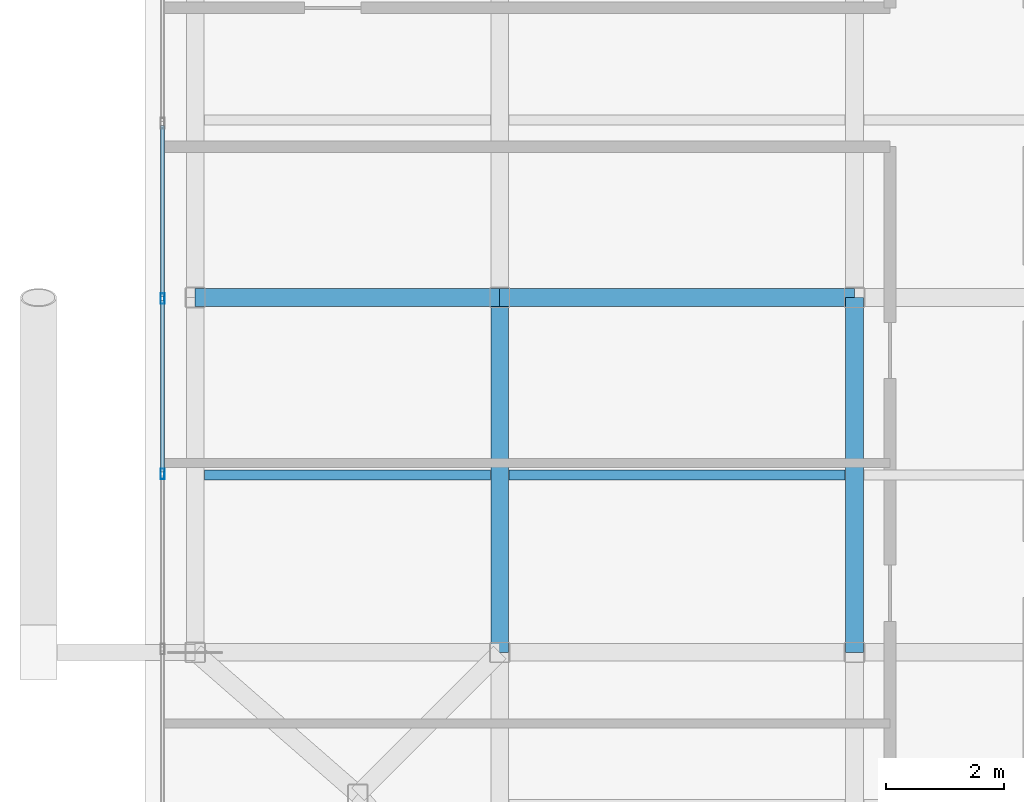
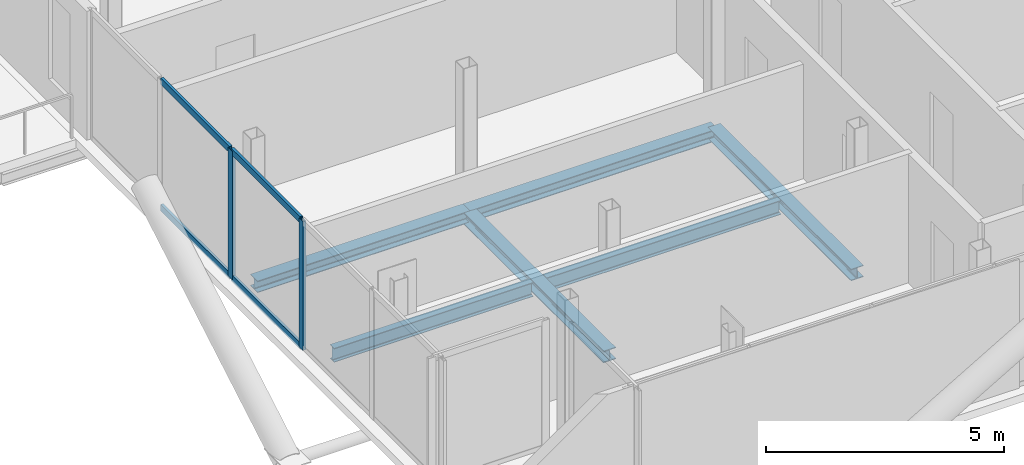
# One storey, part 4 of 19: 6 beams, 6 members, 1 element without a shape of its own.
"""IFC4 building model written with IfcOpenShell, lengths in metres."""

from ifc_helpers import new_model, si_unit, direction, frame, origin, origin_2d, place, context, subcontext, project, spatial, hollow_rectangle, i_section, extrude, material, layer, layer_set, material_profile, profile_set, type_object, element, aggregate, save


model = new_model("IFC4")

# Units and contexts
model_context = context("Model", 3, precision=1e-05, world=origin(), true_north=direction((0.0, 1.0)))
body_context = subcontext(model_context, "Body", "Model", "MODEL_VIEW")
ifc_project = project(units=[si_unit("LENGTHUNIT", "METRE"), si_unit("AREAUNIT", "SQUARE_METRE"), si_unit("VOLUMEUNIT", "CUBIC_METRE"), si_unit("PLANEANGLEUNIT", "RADIAN"), si_unit("MASSUNIT", "GRAM", prefix="KILO"), si_unit("THERMODYNAMICTEMPERATUREUNIT", "KELVIN"), si_unit("POWERUNIT", "WATT")], contexts=[model_context])

# Site, building, storey
site_placement = place(None, origin())
site = spatial("IfcSite", under=ifc_project, at=site_placement, CompositionType="ELEMENT")
building_placement = place(site_placement, origin())
building = spatial("IfcBuilding", under=site, at=building_placement, Name="Svarakhadi Broadcast Tower", CompositionType="ELEMENT")
storey_placement = place(building_placement, frame((0.0, 0.0, 271.199951171875)))
storey = spatial("IfcBuildingStorey", under=building, at=storey_placement, Name="L68", CompositionType="ELEMENT", Elevation=271.199951171875)

# Beams
ifc_material_1 = material(Name="Steel S355J2 (IS 2062 E350C)", Category="steel")
ifc_material_profile_1 = material_profile(ifc_material_1, i_section(OverallWidth=0.169921875, OverallDepth=0.360107421875, WebThickness=0.008056640625, FlangeThickness=0.0126953125, FilletRadius=0.01806640625, at=origin_2d()), Name="NPB 360x170x57")
ifc_profile_set_1 = profile_set([ifc_material_profile_1], Name="Steel S355J2 (IS 2062 E350C)")
beam_type_1 = type_object("IfcBeamType", Name="Beam_NPB360", PredefinedType="BEAM", material=ifc_profile_set_1)
beam_1_placement = place(storey_placement, frame((1.010009765625, 9.0, -0.3798828125), z_axis=(1.0, 0.0, 0.0), x_axis=(0.0, 1.0, 0.0)))
element("IfcBeam", 1, at=beam_1_placement, inside=storey, type_object=beam_type_1, Name="L68 Secondary Composite Beam SB001", PredefinedType="BEAM", context=body_context, shape_type="SweptSolid", body=[
    extrude(i_section(OverallWidth=0.169921875, OverallDepth=0.360107421875, WebThickness=0.008056640625, FlangeThickness=0.0126953125, FilletRadius=0.01806640625, at=origin_2d()), origin(), (0.0, 0.0, 1.0), 4.830078125),
])
beam_2_placement = place(storey_placement, frame((6.159912109375, 9.0, -0.3798828125), z_axis=(1.0, 0.0, 0.0), x_axis=(0.0, 1.0, 0.0)))
element("IfcBeam", 2, at=beam_2_placement, inside=storey, type_object=beam_type_1, Name="L68 Secondary Composite Beam SB005", PredefinedType="BEAM", context=body_context, shape_type="SweptSolid", body=[
    extrude(i_section(OverallWidth=0.169921875, OverallDepth=0.360107421875, WebThickness=0.008056640625, FlangeThickness=0.0126953125, FilletRadius=0.01806640625, at=origin_2d()), origin(), (0.0, 0.0, 1.0), 5.68017578125),
])

# Curtain wall, members
ifc_material_2 = material(Name="Anodised Bronze Aluminium AA 6063-T6", Category="aluminium")
ifc_layer = layer(ifc_material_2, 0.179931640625)
ifc_layer_set = layer_set([ifc_layer], Name="Anodised Bronze Aluminium AA 6063-T6")
curtain_wall_type = type_object("IfcCurtainWallType", Name="CW_Sys_05", PredefinedType="NOTDEFINED", material=ifc_layer_set)
curtain_wall_placement = place(storey_placement, origin())
curtain_wall = element("IfcCurtainWall", 3, at=curtain_wall_placement, inside=storey, type_object=curtain_wall_type, Name="L68 West Curtain Wall 02", PredefinedType="NOTDEFINED")
ifc_material_profile_2 = material_profile(ifc_material_2, hollow_rectangle(XDim=0.070068359375, YDim=0.179931640625, WallThickness=0.005615234375, at=origin_2d()), Name="ALU MULLION 180x70x6")
ifc_profile_set_2 = profile_set([ifc_material_profile_2], Name="Anodised Bronze Aluminium AA 6063-T6")
member_type_1 = type_object("IfcMemberType", Name="CW_Sys_05_Mul", PredefinedType="MULLION", material=ifc_profile_set_2)
member_1_placement = place(storey_placement, frame((0.300048828125, 9.01806640625, 0.0), z_axis=(0.0, 0.0, 1.0), x_axis=(-1.0, 0.0, 0.0)))
member_1 = element("IfcMember", 4, at=member_1_placement, type_object=member_type_1, Name="CW-05 mullion 3", PredefinedType="MULLION", context=body_context, shape_type="SweptSolid", body=[
    extrude(hollow_rectangle(XDim=0.070068359375, YDim=0.179931640625, WallThickness=0.005615234375, at=origin_2d()), origin(), (0.0, 0.0, 1.0), 3.300048828125),
])
member_2_placement = place(storey_placement, frame((0.300048828125, 11.98193359375, 0.0), z_axis=(0.0, 0.0, 1.0), x_axis=(-1.0, 0.0, 0.0)))
member_2 = element("IfcMember", 5, at=member_2_placement, type_object=member_type_1, Name="CW-05 mullion 4", PredefinedType="MULLION", context=body_context, shape_type="SweptSolid", body=[
    extrude(hollow_rectangle(XDim=0.070068359375, YDim=0.179931640625, WallThickness=0.005615234375, at=origin_2d()), origin(), (0.0, 0.0, 1.0), 3.300048828125),
])
ifc_material_profile_3 = material_profile(ifc_material_2, hollow_rectangle(XDim=0.06494140625, YDim=0.1650390625, WallThickness=0.0048828125, at=origin_2d()), Name="ALU TRANSOM 165x65x5")
ifc_profile_set_3 = profile_set([ifc_material_profile_3], Name="Anodised Bronze Aluminium AA 6063-T6")
member_type_2 = type_object("IfcMemberType", Name="CW_Sys_05_Trn", PredefinedType="USERDEFINED", material=ifc_profile_set_3)
member_3_placement = place(storey_placement, frame((0.300048828125, 9.052978515625, 0.032470703125), z_axis=(0.0, 1.0, 0.0), x_axis=(-1.0, 0.0, 0.0)))
member_3 = element("IfcMember", 6, at=member_3_placement, type_object=member_type_2, Name="CW-05 transom 3.1", ObjectType="TRANSOM", PredefinedType="USERDEFINED", context=body_context, shape_type="SweptSolid", body=[
    extrude(hollow_rectangle(XDim=0.06494140625, YDim=0.1650390625, WallThickness=0.0048828125, at=origin_2d()), origin(), (0.0, 0.0, 1.0), 2.89404296875),
])
member_4_placement = place(storey_placement, frame((0.300048828125, 9.052978515625, 3.267578125), z_axis=(0.0, 1.0, 0.0), x_axis=(-1.0, 0.0, 0.0)))
member_4 = element("IfcMember", 7, at=member_4_placement, type_object=member_type_2, Name="CW-05 transom 3.2", ObjectType="TRANSOM", PredefinedType="USERDEFINED", context=body_context, shape_type="SweptSolid", body=[
    extrude(hollow_rectangle(XDim=0.06494140625, YDim=0.1650390625, WallThickness=0.0048828125, at=origin_2d()), origin(), (0.0, 0.0, 1.0), 2.89404296875),
])
member_5_placement = place(storey_placement, frame((0.300048828125, 12.01708984375, 0.032470703125), z_axis=(0.0, 1.0, 0.0), x_axis=(-1.0, 0.0, 0.0)))
member_5 = element("IfcMember", 8, at=member_5_placement, type_object=member_type_2, Name="CW-05 transom 4.1", ObjectType="TRANSOM", PredefinedType="USERDEFINED", context=body_context, shape_type="SweptSolid", body=[
    extrude(hollow_rectangle(XDim=0.06494140625, YDim=0.1650390625, WallThickness=0.0048828125, at=origin_2d()), origin(), (0.0, 0.0, 1.0), 2.893798828125),
])
member_6_placement = place(storey_placement, frame((0.300048828125, 12.01708984375, 3.267578125), z_axis=(0.0, 1.0, 0.0), x_axis=(-1.0, 0.0, 0.0)))
member_6 = element("IfcMember", 9, at=member_6_placement, type_object=member_type_2, Name="CW-05 transom 4.2", ObjectType="TRANSOM", PredefinedType="USERDEFINED", context=body_context, shape_type="SweptSolid", body=[
    extrude(hollow_rectangle(XDim=0.06494140625, YDim=0.1650390625, WallThickness=0.0048828125, at=origin_2d()), origin(), (0.0, 0.0, 1.0), 2.893798828125),
])
aggregate(curtain_wall, [member_1, member_2, member_3, member_4, member_5, member_6])

# Beams
ifc_material_profile_4 = material_profile(ifc_material_1, i_section(OverallWidth=0.300048828125, OverallDepth=0.300048828125, WebThickness=0.010986328125, FlangeThickness=0.01904296875, FilletRadius=0.027099609375, at=origin_2d()), Name="WPB 300x300x117")
ifc_profile_set_4 = profile_set([ifc_material_profile_4], Name="Steel S355J2 (IS 2062 E350C)")
beam_type_2 = type_object("IfcBeamType", Name="Girder_WPB300", PredefinedType="USERDEFINED", material=ifc_profile_set_4)
beam_3_placement = place(storey_placement, frame((0.85009765625, 12.0, -0.349853515625), z_axis=(1.0, 0.0, 0.0), x_axis=(0.0, 1.0, 0.0)))
element("IfcBeam", 10, at=beam_3_placement, inside=storey, type_object=beam_type_2, Name="L68 Primary E-W Girder G013", ObjectType="GIRDER", PredefinedType="USERDEFINED", context=body_context, shape_type="SweptSolid", body=[
    extrude(i_section(OverallWidth=0.300048828125, OverallDepth=0.300048828125, WebThickness=0.010986328125, FlangeThickness=0.01904296875, FilletRadius=0.027099609375, at=origin_2d()), origin(), (0.0, 0.0, 1.0), 5.14990234375),
])
for number, where, z_axis, x_axis, name in (
    (11, (6.0, 12.0, -0.349853515625), (1.0, 0.0, 0.0), (0.0, 1.0, 0.0), "L68 Primary E-W Girder G014"),
    (12, (6.0, 6.0, -0.349853515625), (0.0, 1.0, 0.0), (-1.0, 0.0, 0.0), "L68 Primary N-S Girder G030"),
    (13, (12.0, 6.0, -0.349853515625), (0.0, 1.0, 0.0), (-1.0, 0.0, 0.0), "L68 Primary N-S Girder G034"),
):
    element("IfcBeam", number, at=place(storey_placement, frame(where, z_axis=z_axis, x_axis=x_axis)), inside=storey, type_object=beam_type_2, Name=name, ObjectType="GIRDER", PredefinedType="USERDEFINED", context=body_context, shape_type="SweptSolid", body=[
        extrude(i_section(OverallWidth=0.300048828125, OverallDepth=0.300048828125, WebThickness=0.010986328125, FlangeThickness=0.01904296875, FilletRadius=0.027099609375, at=origin_2d()), origin(), (0.0, 0.0, 1.0), 6.0),
    ])

save(model, "model.ifc")
